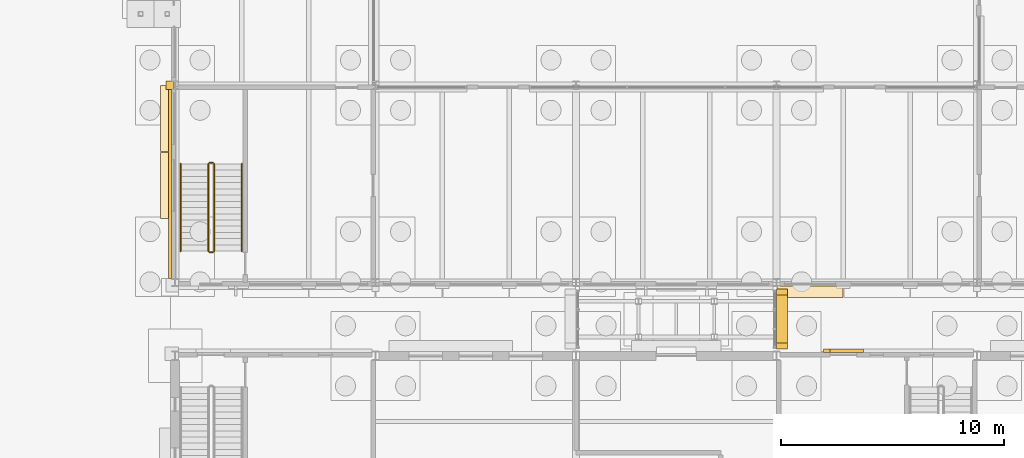
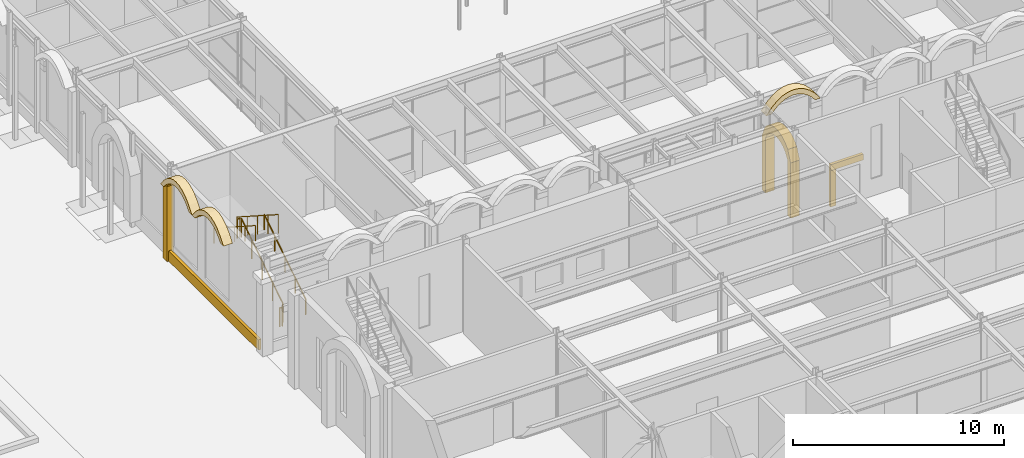
# One storey, part 104 of 126: 8 coverings, 6 railings.
"""IFC4 building model written with IfcOpenShell, lengths in metres."""

from ifc_helpers import new_model, si_unit, direction, frame, origin, origin_2d, place, context, subcontext, project, spatial, polyline, rectangle, circle, outline, extrude, material, layer, layer_set, type_object, element, save


model = new_model("IFC4")

# Units and contexts
model_context = context("Model", 3, precision=1e-05, world=origin(), true_north=direction((0.0, 1.0)))
body_context = subcontext(model_context, "Body", "Model", "MODEL_VIEW")
ifc_project = project(units=[si_unit("LENGTHUNIT", "METRE"), si_unit("AREAUNIT", "SQUARE_METRE"), si_unit("VOLUMEUNIT", "CUBIC_METRE"), si_unit("PLANEANGLEUNIT", "RADIAN"), si_unit("MASSUNIT", "GRAM", prefix="KILO")], contexts=[model_context])

# Site, building, storey
site_placement = place(None, origin())
site = spatial("IfcSite", under=ifc_project, at=site_placement, CompositionType="ELEMENT")
building_placement = place(site_placement, origin())
building = spatial("IfcBuilding", under=site, at=building_placement, Name="Kallimachos Central Library", CompositionType="ELEMENT")
storey_placement = place(building_placement, origin())
storey = spatial("IfcBuildingStorey", under=building, at=storey_placement, Name="L00", CompositionType="ELEMENT", Elevation=0.0)

# Railings
ifc_material_1 = material(Name="Wrought iron")
railing_type_1 = type_object("IfcRailingType", Name="Stair guard", PredefinedType="GUARDRAIL", material=ifc_material_1)
railing_1_placement = place(storey_placement, frame((67.25, 49.550048828125, 0.179931640625)))
element("IfcRailing", 1, at=railing_1_placement, inside=storey, type_object=railing_type_1, Name="L00 ST11 stair guard 1", PredefinedType="GUARDRAIL", context=body_context, shape_type="SweptSolid", body=[
    extrude(circle(Radius=0.02392578125, at=origin_2d()), frame((0.0, 0.0, 1.076171875), z_axis=(0.0, 0.841171666519, 0.540768182723), x_axis=(-1.0, 0.0, 0.0)), (0.0, 0.0, 1.0), 4.66015625),
    extrude(circle(Radius=0.02099609375, at=origin_2d()), origin(), (0.0, 0.0, 1.0), 1.052001953125),
    extrude(circle(Radius=0.02099609375, at=origin_2d()), frame((0.0, 0.97998046875, 0.6298828125)), (0.0, 0.0, 1.0), 1.052001953125),
    extrude(circle(Radius=0.02099609375, at=origin_2d()), frame((0.0, 1.9599609375, 1.260009765625)), (0.0, 0.0, 1.0), 1.052001953125),
    extrude(circle(Radius=0.02099609375, at=origin_2d()), frame((0.0, 2.93994140625, 1.89013671875)), (0.0, 0.0, 1.0), 1.052001953125),
    extrude(circle(Radius=0.02099609375, at=origin_2d()), frame((0.0, 3.919921875, 2.52001953125)), (0.0, 0.0, 1.0), 1.052001953125),
])
railing_2_placement = place(storey_placement, frame((67.199951171875, 53.52001953125, 2.699951171875)))
element("IfcRailing", 2, at=railing_2_placement, inside=storey, type_object=railing_type_1, Name="L00 ST11 stair guard 2", PredefinedType="GUARDRAIL", context=body_context, shape_type="SweptSolid", body=[
    extrude(circle(Radius=0.02392578125, at=origin_2d()), frame((0.0, 0.0, 1.076171875), z_axis=(-1.0, 0.0, 0.0), x_axis=(0.0, -1.0, 0.0)), (0.0, 0.0, 1.0), 0.14990234375),
    extrude(circle(Radius=0.02099609375, at=origin_2d()), origin(), (0.0, 0.0, 1.0), 1.052001953125),
    extrude(circle(Radius=0.02099609375, at=origin_2d()), frame((-0.14990234375, 0.0, 0.0)), (0.0, 0.0, 1.0), 1.052001953125),
])
railing_3_placement = place(storey_placement, frame((67.0, 53.469970703125, 2.8798828125)))
element("IfcRailing", 3, at=railing_3_placement, inside=storey, type_object=railing_type_1, Name="L00 ST11 stair guard 3", PredefinedType="GUARDRAIL", context=body_context, shape_type="SweptSolid", body=[
    extrude(circle(Radius=0.02392578125, at=origin_2d()), frame((0.0, 0.0, 1.076171875), z_axis=(0.0, -0.841171666519, 0.540768182723), x_axis=(1.0, 0.0, 0.0)), (0.0, 0.0, 1.0), 4.66015625),
    extrude(circle(Radius=0.02099609375, at=origin_2d()), origin(), (0.0, 0.0, 1.0), 1.052001953125),
    extrude(circle(Radius=0.02099609375, at=origin_2d()), frame((0.0, -0.97998046875, 0.6298828125)), (0.0, 0.0, 1.0), 1.052001953125),
    extrude(circle(Radius=0.02099609375, at=origin_2d()), frame((0.0, -1.9599609375, 1.260009765625)), (0.0, 0.0, 1.0), 1.052001953125),
    extrude(circle(Radius=0.02099609375, at=origin_2d()), frame((0.0, -2.93994140625, 1.89013671875)), (0.0, 0.0, 1.0), 1.052001953125),
    extrude(circle(Radius=0.02099609375, at=origin_2d()), frame((0.0, -3.919921875, 2.52001953125)), (0.0, 0.0, 1.0), 1.052001953125),
])
railing_4_placement = place(storey_placement, frame((67.199951171875, 49.5, 0.0)))
element("IfcRailing", 4, at=railing_4_placement, inside=storey, type_object=railing_type_1, Name="L00 ST11 stair guard 4", PredefinedType="GUARDRAIL", context=body_context, shape_type="SweptSolid", body=[
    extrude(circle(Radius=0.02392578125, at=origin_2d()), frame((0.0, 0.0, 1.076171875), z_axis=(-1.0, 0.0, 0.0), x_axis=(0.0, -1.0, 0.0)), (0.0, 0.0, 1.0), 0.14990234375),
    extrude(circle(Radius=0.02099609375, at=origin_2d()), origin(), (0.0, 0.0, 1.0), 1.052001953125),
    extrude(circle(Radius=0.02099609375, at=origin_2d()), frame((-0.14990234375, 0.0, 0.0)), (0.0, 0.0, 1.0), 1.052001953125),
])
ifc_material_2 = material(Name="Wrought iron")
railing_type_2 = type_object("IfcRailingType", Name="Stair handrail", PredefinedType="HANDRAIL", material=ifc_material_2)
railing_5_placement = place(storey_placement, frame((68.5, 49.550048828125, 0.179931640625)))
element("IfcRailing", 5, at=railing_5_placement, inside=storey, type_object=railing_type_2, Name="L00 ST11 stair handrail 1", PredefinedType="HANDRAIL", context=body_context, shape_type="SweptSolid", body=[
    extrude(circle(Radius=0.02392578125, at=origin_2d()), frame((0.0, 0.0, 0.8759765625), z_axis=(0.0, 0.841171666519, 0.540768182723), x_axis=(-1.0, 0.0, 0.0)), (0.0, 0.0, 1.0), 4.66015625),
    extrude(circle(Radius=0.02099609375, at=origin_2d()), origin(), (0.0, 0.0, 1.0), 0.851806640625),
    extrude(circle(Radius=0.02099609375, at=origin_2d()), frame((0.0, 0.97998046875, 0.6298828125)), (0.0, 0.0, 1.0), 0.851806640625),
    extrude(circle(Radius=0.02099609375, at=origin_2d()), frame((0.0, 1.9599609375, 1.260009765625)), (0.0, 0.0, 1.0), 0.851806640625),
    extrude(circle(Radius=0.02099609375, at=origin_2d()), frame((0.0, 2.93994140625, 1.89013671875)), (0.0, 0.0, 1.0), 0.851806640625),
    extrude(circle(Radius=0.02099609375, at=origin_2d()), frame((0.0, 3.919921875, 2.52001953125)), (0.0, 0.0, 1.0), 0.851806640625),
])
railing_6_placement = place(storey_placement, frame((65.75, 53.469970703125, 2.8798828125)))
element("IfcRailing", 6, at=railing_6_placement, inside=storey, type_object=railing_type_2, Name="L00 ST11 stair handrail 2", PredefinedType="HANDRAIL", context=body_context, shape_type="SweptSolid", body=[
    extrude(circle(Radius=0.02392578125, at=origin_2d()), frame((0.0, 0.0, 0.8759765625), z_axis=(0.0, -0.841171666519, 0.540768182723), x_axis=(1.0, 0.0, 0.0)), (0.0, 0.0, 1.0), 4.66015625),
    extrude(circle(Radius=0.02099609375, at=origin_2d()), origin(), (0.0, 0.0, 1.0), 0.851806640625),
    extrude(circle(Radius=0.02099609375, at=origin_2d()), frame((0.0, -0.97998046875, 0.6298828125)), (0.0, 0.0, 1.0), 0.851806640625),
    extrude(circle(Radius=0.02099609375, at=origin_2d()), frame((0.0, -1.9599609375, 1.260009765625)), (0.0, 0.0, 1.0), 0.851806640625),
    extrude(circle(Radius=0.02099609375, at=origin_2d()), frame((0.0, -2.93994140625, 1.89013671875)), (0.0, 0.0, 1.0), 0.851806640625),
    extrude(circle(Radius=0.02099609375, at=origin_2d()), frame((0.0, -3.919921875, 2.52001953125)), (0.0, 0.0, 1.0), 0.851806640625),
])

# Coverings
ifc_material_3 = material(Name="Pentelic marble arch ring", Category="masonry")
ifc_layer_1 = layer(ifc_material_3, 0.5)
ifc_layer_set_1 = layer_set([ifc_layer_1], Name="Stone arcade arch 500")
covering_type_1 = type_object("IfcCoveringType", Name="Stone arcade arch 500", PredefinedType="MOLDING", material=ifc_layer_set_1)
covering_1_placement = place(storey_placement, frame((92.52001953125, 47.47998046875, 4.5), z_axis=(0.0, -1.0, 0.0), x_axis=(1.0, 0.0, 0.0)))
element("IfcCovering", 7, at=covering_1_placement, inside=storey, type_object=covering_type_1, Name="Arcade arch 6", PredefinedType="MOLDING", context=body_context, shape_type="SweptSolid", body=[
    extrude(outline(polyline([(0.0, 0.0), (0.280029296875, 0.0), (0.280029296875, 0.0), (0.52001953125, 0.2666015625), (0.760009765625, 0.462646484375), (1.0, 0.596435546875), (1.239990234375, 0.67431640625), (1.47998046875, 0.699951171875), (1.719970703125, 0.67431640625), (1.9599609375, 0.596435546875), (2.199951171875, 0.462646484375), (2.43994140625, 0.2666015625), (2.679931640625, 0.0), (2.679931640625, 0.0), (2.9599609375, 0.0), (2.9599609375, 0.0), (2.6640625, 0.38671875), (2.367919921875, 0.666259765625), (2.072021484375, 0.85498046875), (1.77587890625, 0.96435546875), (1.47998046875, 1.0), (1.18408203125, 0.96435546875), (0.887939453125, 0.85498046875), (0.592041015625, 0.666259765625), (0.2958984375, 0.38671875), (0.0, 0.0), (0.0, 0.0)])), origin(), (0.0, 0.0, -1.0), 0.5),
])
for number, where, z_axis, x_axis, name in (
    (8, (64.85009765625, 51.02001953125, 4.5), (-1.0, 0.0, 0.0), (0.0, 0.607673405972, 0.794187025627), "Arcade arch 19"),
    (9, (64.85009765625, 54.02001953125, 4.5), (-1.0, 0.0, 0.0), (0.0, 0.607673405972, 0.794187025627), "Arcade arch 20"),
):
    element("IfcCovering", number, at=place(storey_placement, frame(where, z_axis=z_axis, x_axis=x_axis)), inside=storey, type_object=covering_type_1, Name=name, PredefinedType="MOLDING", context=body_context, shape_type="SweptSolid", body=[
        extrude(outline(polyline([(0.0, 0.0), (0.4869366251541405, 2.7755575615628914e-17), (0.8889024419966925, 0.06532295220883794), (1.218591587223228, 0.18564109972920229), (1.4854137622537693, 0.3543694142335939), (1.6935317978445363, 0.5677078804904176), (1.8450329849286935, 0.8243668141651777), (1.9381267481033357, 1.1260236862259767), (1.9680568255517241, 1.4757029386371963), (1.926006946914356, 1.8807651729935488), (1.7986895444351394, 2.3507625729251327), (1.7986895444351394, 2.3507625729251327), (1.6285231878311222, 2.1283669385515656), (1.6285231878311222, 2.1283669385515656), (1.6944190066577884, 1.775763128611894), (1.7042796569282552, 1.4660347127947693), (1.6646975114138403, 1.1941375270857737), (1.580713796351433, 0.9562142695915296), (1.4552369114930856, 0.7500395738350882), (1.289042430106012, 0.57502000875593), (1.0813547789229982, 0.4317490054145742), (0.8292655581919923, 0.32245193028797), (0.5277335416761045, 0.2509860852694953), (0.17016635660401722, 0.22239563437356707), (0.17016635660401722, 0.22239563437356707), (0.0, 0.0), (0.0, 0.0)])), origin(), (0.0, 0.0, -1.0), 0.5),
    ])
ifc_material_4 = material(Name="Pentelic marble door surround", Category="masonry")
ifc_layer_2 = layer(ifc_material_4, 0.14990234375)
ifc_layer_set_2 = layer_set([ifc_layer_2], Name="Stone door surround 300")
covering_type_2 = type_object("IfcCoveringType", Name="Stone door surround 300", PredefinedType="MOLDING", material=ifc_layer_set_2)
covering_2_placement = place(storey_placement, frame((94.75, 45.074951171875, 0.0), z_axis=(0.0, 0.0, 1.0), x_axis=(1.0, 0.0, 0.0)))
element("IfcCovering", 10, at=covering_2_placement, inside=storey, type_object=covering_type_2, Name="Stone door surround 300 -L00-007", PredefinedType="MOLDING", context=body_context, shape_type="SweptSolid", body=[
    extrude(rectangle(XDim=0.300048828125, YDim=0.14990234375, at=origin_2d()), origin(), (0.0, 0.0, 1.0), 2.10009765625),
])
covering_3_placement = place(storey_placement, frame((95.5, 45.074951171875, 2.099853515625), z_axis=(0.0, 0.0, 1.0), x_axis=(1.0, 0.0, 0.0)))
element("IfcCovering", 11, at=covering_3_placement, inside=storey, type_object=covering_type_2, Name="Stone door surround 300 -L00-007", PredefinedType="MOLDING", context=body_context, shape_type="SweptSolid", body=[
    extrude(rectangle(XDim=1.800048828125, YDim=0.14990234375, at=origin_2d()), origin(), (0.0, 0.0, 1.0), 0.35009765625),
])
ifc_material_5 = material(Name="Pentelic marble arch ring", Category="masonry")
ifc_layer_3 = layer(ifc_material_5, 0.5)
ifc_layer_set_3 = layer_set([ifc_layer_3], Name="Stone link portal 500")
covering_type_3 = type_object("IfcCoveringType", Name="Stone link portal 500", PredefinedType="MOLDING", material=ifc_layer_set_3)
covering_4_placement = place(storey_placement, frame((93.0, 45.449951171875, 0.0), z_axis=(1.0, 0.0, 0.0), x_axis=(0.0, 0.0, 1.0)))
element("IfcCovering", 12, at=covering_4_placement, inside=storey, type_object=covering_type_3, Name="Stacks Link portal east", PredefinedType="MOLDING", context=body_context, shape_type="SweptSolid", body=[
    extrude(outline(polyline([(0.0, 0.0), (3.199951171875, 0.0), (3.529541015625, -0.2099609375), (3.709716796875, -0.420166015625), (3.819580078125, -0.630126953125), (3.88037109375, -0.840087890625), (3.89990234375, -1.050048828125), (3.88037109375, -1.260009765625), (3.819580078125, -1.469970703125), (3.709716796875, -1.679931640625), (3.529541015625, -1.89013671875), (3.199951171875, -2.10009765625), (0.0, -2.10009765625), (0.0, -2.400146484375), (3.199951171875, -2.400146484375), (3.8212890625, -2.130126953125), (4.084228515625, -1.860107421875), (4.239013671875, -1.590087890625), (4.322998046875, -1.320068359375), (4.35009765625, -1.050048828125), (4.322998046875, -0.780029296875), (4.239013671875, -0.510009765625), (4.084228515625, -0.239990234375), (3.8212890625, 0.030029296875), (3.199951171875, 0.300048828125), (0.0, 0.300048828125), (0.0, 0.0)])), origin(), (0.0, 0.0, -1.0), 0.5),
])
ifc_material_6 = material(Name="Pentelic marble pilaster", Category="masonry")
ifc_layer_4 = layer(ifc_material_6, 0.25)
ifc_layer_set_4 = layer_set([ifc_layer_4], Name="Stone pilaster 250")
covering_type_4 = type_object("IfcCoveringType", Name="Stone pilaster 250", PredefinedType="CLADDING", material=ifc_layer_set_4)
covering_5_placement = place(storey_placement, frame((65.27490234375, 57.0, 0.0), z_axis=(0.0, 0.0, 1.0), x_axis=(1.0, 0.0, 0.0)))
element("IfcCovering", 13, at=covering_5_placement, inside=storey, type_object=covering_type_4, Name="Stone pilaster 250 -L00-025", PredefinedType="CLADDING", context=body_context, shape_type="SweptSolid", body=[
    extrude(rectangle(XDim=0.35009765625, YDim=0.376953125, at=origin_2d()), origin(), (0.0, 0.0, 1.0), 4.35009765625),
])
ifc_material_7 = material(Name="Pentelic marble plinth course", Category="masonry")
ifc_layer_5 = layer(ifc_material_7, 0.14990234375)
ifc_layer_set_5 = layer_set([ifc_layer_5], Name="Stone plinth course 600")
covering_type_5 = type_object("IfcCoveringType", Name="Stone plinth course 600", PredefinedType="CLADDING", material=ifc_layer_set_5)
covering_6_placement = place(storey_placement, frame((65.27490234375, 52.56591796875, 0.0), z_axis=(0.0, 0.0, 1.0), x_axis=(1.0, 0.0, 0.0)))
element("IfcCovering", 14, at=covering_6_placement, inside=storey, type_object=covering_type_5, Name="Stone plinth course 600 -L00-025", PredefinedType="CLADDING", context=body_context, shape_type="SweptSolid", body=[
    extrude(rectangle(XDim=0.14990234375, YDim=8.491455078125, at=origin_2d()), origin(), (0.0, 0.0, 1.0), 0.60009765625),
])

save(model, "model.ifc")
